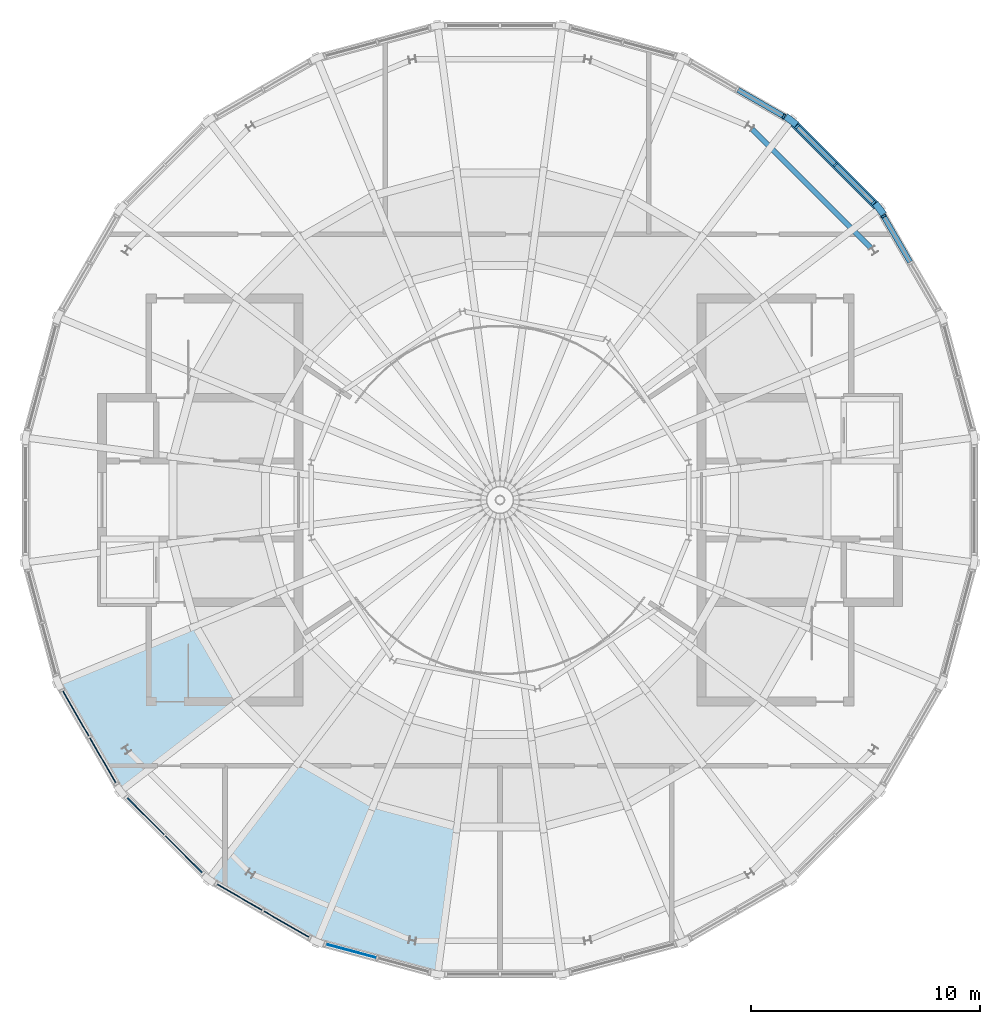
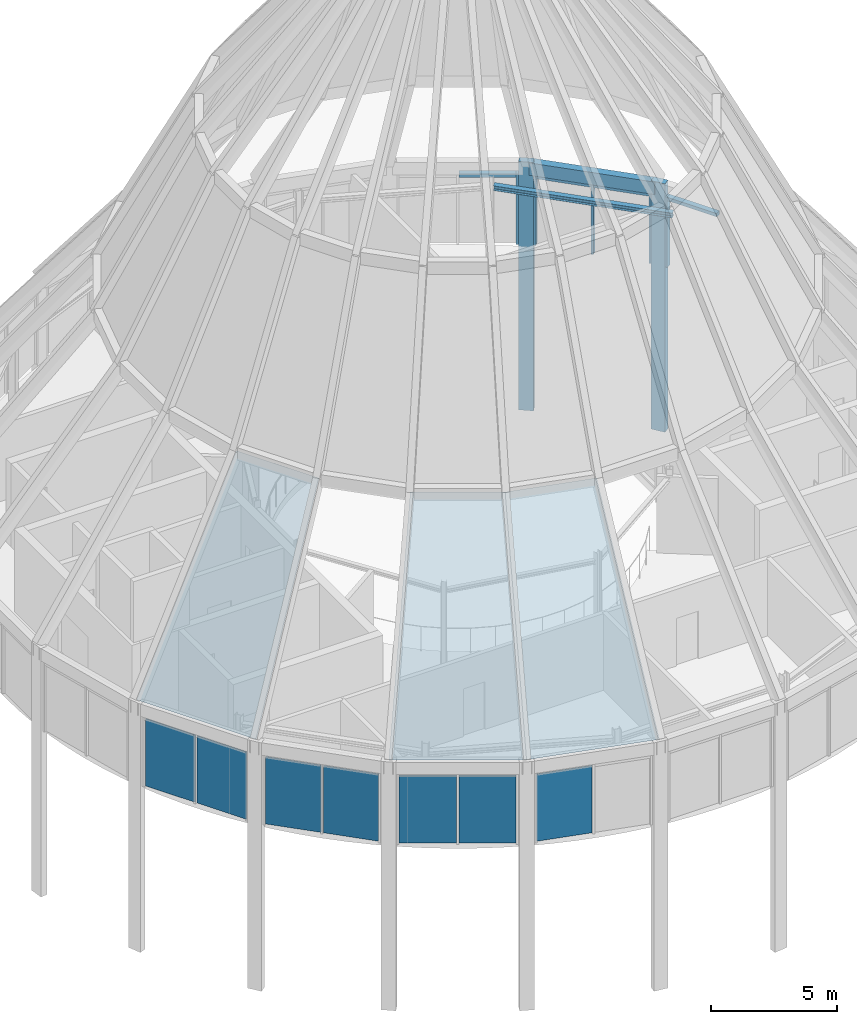
# One storey, part 10 of 16: 12 members, 10 plates, 1 beam, 7 elements without a shape of their own.
"""IFC4 building model written with IfcOpenShell, lengths in metres."""

from ifc_helpers import new_model, si_unit, direction, frame, origin, origin_2d, place, context, subcontext, project, spatial, polyline, rectangle, i_section, outline, extrude, material, layer, layer_set, material_profile, profile_set, type_object, element, aggregate, save


model = new_model("IFC4")

# Units and contexts
model_context = context("Model", 3, precision=1e-05, world=origin(), true_north=direction((0.0, 1.0)))
body_context = subcontext(model_context, "Body", "Model", "MODEL_VIEW")
ifc_project = project(units=[si_unit("LENGTHUNIT", "METRE"), si_unit("AREAUNIT", "SQUARE_METRE"), si_unit("VOLUMEUNIT", "CUBIC_METRE"), si_unit("PLANEANGLEUNIT", "RADIAN"), si_unit("MASSUNIT", "GRAM", prefix="KILO")], contexts=[model_context])

# Site, building, storey
site_placement = place(None, origin())
site = spatial("IfcSite", under=ifc_project, at=site_placement, CompositionType="ELEMENT")
building_placement = place(site_placement, origin())
building = spatial("IfcBuilding", under=site, at=building_placement, Name="Maasbend Ring Residences", CompositionType="ELEMENT")
storey_placement = place(building_placement, frame((0.0, 0.0, 269.5)))
storey = spatial("IfcBuildingStorey", under=building, at=storey_placement, Name="L77", CompositionType="ELEMENT", Elevation=269.5)

# Members
ifc_material_1 = material(Name="Steel S355J2", Category="steel")
ifc_material_profile_1 = material_profile(ifc_material_1, rectangle(XDim=0.300048828125, YDim=0.60009765625, at=origin_2d()), Name="Box 300x600x12")
ifc_profile_set_1 = profile_set([ifc_material_profile_1], Name="Steel S355J2")
member_type_1 = type_object("IfcMemberType", Name="CROWN-RIB", PredefinedType="USERDEFINED", material=ifc_profile_set_1)
for number, where, z_axis, x_axis, name in (
    (1, (16.557373046875, 12.704833984375, -8.0), (0.0, 0.0, 1.0), (0.793353340291, 0.608761429009, 0.0), "Crown frame rib"),
    (2, (12.704833984375, 16.557373046875, -8.0), (0.0, 0.0, 1.0), (0.608761429009, 0.793353340291, 0.0), "Crown frame rib"),
):
    element("IfcMember", number, at=place(storey_placement, frame(where, z_axis=z_axis, x_axis=x_axis)), inside=storey, type_object=member_type_1, Name=name, ObjectType="CROWN FRAME", PredefinedType="USERDEFINED", context=body_context, shape_type="SweptSolid", body=[
        extrude(rectangle(XDim=0.300048828125, YDim=0.60009765625, at=origin_2d()), origin(), (0.0, 0.0, 1.0), 12.0),
    ])
ifc_material_2 = material(Name="Steel S355J2", Category="steel")
ifc_material_profile_2 = material_profile(ifc_material_2, rectangle(XDim=0.35009765625, YDim=0.60009765625, at=origin_2d()), Name="Box 350x600x16")
ifc_profile_set_2 = profile_set([ifc_material_profile_2], Name="Steel S355J2")
member_type_2 = type_object("IfcMemberType", Name="CROWN-RING", PredefinedType="USERDEFINED", material=ifc_profile_set_2)
member_1_placement = place(storey_placement, frame((16.451171875, 12.81103515625, 3.699951171875), z_axis=(-0.707106781187, 0.707106781187, 0.0), x_axis=(-0.707106781187, -0.707106781187, 0.0)))
element("IfcMember", 3, at=member_1_placement, inside=storey, type_object=member_type_2, Name="Crown frame ring beam", ObjectType="CROWN FRAME", PredefinedType="USERDEFINED", context=body_context, shape_type="SweptSolid", body=[
    extrude(rectangle(XDim=0.35009765625, YDim=0.60009765625, at=origin_2d()), origin(), (0.0, 0.0, 1.0), 5.14794921875),
])

# Curtain wall, member
ifc_material_3 = material(Name="Aluminium and clear glass", Category="aluminium")
ifc_layer_1 = layer(ifc_material_3, 0.239990234375)
ifc_layer_set_1 = layer_set([ifc_layer_1], Name="CW-CN")
curtain_wall_type = type_object("IfcCurtainWallType", Name="CW-CN", PredefinedType="NOTDEFINED", material=ifc_layer_set_1)
curtain_wall_1_placement = place(storey_placement, origin())
curtain_wall_1 = element("IfcCurtainWall", 4, at=curtain_wall_1_placement, inside=storey, type_object=curtain_wall_type, Name="Crown drum glazing 02 L77", PredefinedType="NOTDEFINED")
ifc_material_4 = material(Name="Aluminium 6063-T6", Category="aluminium")
ifc_material_profile_3 = material_profile(ifc_material_4, rectangle(XDim=0.239990234375, YDim=0.090087890625, at=origin_2d()), Name="AL 240x90")
ifc_profile_set_3 = profile_set([ifc_material_profile_3], Name="Aluminium 6063-T6")
member_type_3 = type_object("IfcMemberType", Name="CWM-CN", PredefinedType="MULLION", material=ifc_profile_set_3)
member_2_placement = place(storey_placement, frame((16.73974609375, 12.388671875, 0.0), z_axis=(0.0, 0.0, 1.0), x_axis=(-0.866025403784, -0.5, 0.0)))
member_2 = element("IfcMember", 5, at=member_2_placement, type_object=member_type_3, Name="Mullion crown cone", PredefinedType="MULLION", context=body_context, shape_type="SweptSolid", body=[
    extrude(rectangle(XDim=0.239990234375, YDim=0.090087890625, at=origin_2d()), origin(), (0.0, 0.0, 1.0), 3.39990234375),
])

# Curtain wall, members
curtain_wall_2_placement = place(storey_placement, origin())
curtain_wall_2 = element("IfcCurtainWall", 6, at=curtain_wall_2_placement, inside=storey, type_object=curtain_wall_type, Name="Crown drum glazing 03 L77", PredefinedType="NOTDEFINED")
member_3_placement = place(storey_placement, frame((16.299072265625, 12.962890625, 0.0), z_axis=(0.0, 0.0, 1.0), x_axis=(-0.707106781187, -0.707106781187, 0.0)))
member_3 = element("IfcMember", 7, at=member_3_placement, type_object=member_type_3, Name="Mullion crown cone", PredefinedType="MULLION", context=body_context, shape_type="SweptSolid", body=[
    extrude(rectangle(XDim=0.239990234375, YDim=0.090087890625, at=origin_2d()), origin(), (0.0, 0.0, 1.0), 3.39990234375),
])
member_4_placement = place(storey_placement, frame((14.631103515625, 14.631103515625, 0.0), z_axis=(0.0, 0.0, 1.0), x_axis=(-0.707106781187, -0.707106781187, 0.0)))
member_4 = element("IfcMember", 8, at=member_4_placement, type_object=member_type_3, Name="Mullion crown cone", PredefinedType="MULLION", context=body_context, shape_type="SweptSolid", body=[
    extrude(rectangle(XDim=0.239990234375, YDim=0.090087890625, at=origin_2d()), origin(), (0.0, 0.0, 1.0), 3.39990234375),
])
member_5_placement = place(storey_placement, frame((12.962890625, 16.299072265625, 0.0), z_axis=(0.0, 0.0, 1.0), x_axis=(-0.707106781187, -0.707106781187, 0.0)))
member_5 = element("IfcMember", 9, at=member_5_placement, type_object=member_type_3, Name="Mullion crown cone", PredefinedType="MULLION", context=body_context, shape_type="SweptSolid", body=[
    extrude(rectangle(XDim=0.239990234375, YDim=0.090087890625, at=origin_2d()), origin(), (0.0, 0.0, 1.0), 3.39990234375),
])

# Curtain wall, member
curtain_wall_3_placement = place(storey_placement, origin())
curtain_wall_3 = element("IfcCurtainWall", 10, at=curtain_wall_3_placement, inside=storey, type_object=curtain_wall_type, Name="Crown drum glazing 04 L77", PredefinedType="NOTDEFINED")
member_6_placement = place(storey_placement, frame((12.388671875, 16.73974609375, 0.0), z_axis=(0.0, 0.0, 1.0), x_axis=(-0.5, -0.866025403784, 0.0)))
member_6 = element("IfcMember", 11, at=member_6_placement, type_object=member_type_3, Name="Mullion crown cone", PredefinedType="MULLION", context=body_context, shape_type="SweptSolid", body=[
    extrude(rectangle(XDim=0.239990234375, YDim=0.090087890625, at=origin_2d()), origin(), (0.0, 0.0, 1.0), 3.39990234375),
])

# Member
ifc_material_5 = material(Name="Aluminium 6063-T6", Category="aluminium")
ifc_material_profile_4 = material_profile(ifc_material_5, rectangle(XDim=0.239990234375, YDim=0.159912109375, at=origin_2d()), Name="AL 240x160")
ifc_profile_set_4 = profile_set([ifc_material_profile_4], Name="Aluminium 6063-T6")
member_type_4 = type_object("IfcMemberType", Name="CWT-CN", PredefinedType="USERDEFINED", material=ifc_profile_set_4)
member_7_placement = place(storey_placement, frame((17.896728515625, 10.384765625, 3.320068359375), z_axis=(-0.49999255039, 0.866029704776, 0.0), x_axis=(-0.866029704776, -0.49999255039, 0.0)))
member_7 = element("IfcMember", 12, at=member_7_placement, type_object=member_type_4, Name="Transom crown cone", ObjectType="TRANSOM", PredefinedType="USERDEFINED", context=body_context, shape_type="SweptSolid", body=[
    extrude(rectangle(XDim=0.239990234375, YDim=0.159912109375, at=origin_2d()), origin(), (0.0, 0.0, 1.0), 2.26904296875),
])

aggregate(curtain_wall_1, [member_2, member_7])

member_8_placement = place(storey_placement, frame((16.267333984375, 12.994873046875, 3.320068359375), z_axis=(-0.707106781187, 0.707106781187, 0.0), x_axis=(-0.707106781187, -0.707106781187, 0.0)))
member_8 = element("IfcMember", 13, at=member_8_placement, type_object=member_type_4, Name="Transom crown cone", ObjectType="TRANSOM", PredefinedType="USERDEFINED", context=body_context, shape_type="SweptSolid", body=[
    extrude(rectangle(XDim=0.239990234375, YDim=0.159912109375, at=origin_2d()), origin(), (0.0, 0.0, 1.0), 2.26904296875),
])

member_9_placement = place(storey_placement, frame((14.599365234375, 14.662841796875, 3.320068359375), z_axis=(-0.707106781187, 0.707106781187, 0.0), x_axis=(-0.707106781187, -0.707106781187, 0.0)))
member_9 = element("IfcMember", 14, at=member_9_placement, type_object=member_type_4, Name="Transom crown cone", ObjectType="TRANSOM", PredefinedType="USERDEFINED", context=body_context, shape_type="SweptSolid", body=[
    extrude(rectangle(XDim=0.239990234375, YDim=0.159912109375, at=origin_2d()), origin(), (0.0, 0.0, 1.0), 2.26904296875),
])

aggregate(curtain_wall_2, [member_3, member_4, member_5, member_8, member_9])

member_10_placement = place(storey_placement, frame((12.349853515625, 16.76220703125, 3.320068359375), z_axis=(-0.866029704776, 0.49999255039, 0.0), x_axis=(-0.49999255039, -0.866029704776, 0.0)))
member_10 = element("IfcMember", 15, at=member_10_placement, type_object=member_type_4, Name="Transom crown cone", ObjectType="TRANSOM", PredefinedType="USERDEFINED", context=body_context, shape_type="SweptSolid", body=[
    extrude(rectangle(XDim=0.239990234375, YDim=0.159912109375, at=origin_2d()), origin(), (0.0, 0.0, 1.0), 2.26904296875),
])

aggregate(curtain_wall_3, [member_6, member_10])

# Beam
ifc_material_6 = material(Name="Steel S355J2", Category="steel")
ifc_material_profile_5 = material_profile(ifc_material_6, i_section(OverallWidth=0.239990234375, OverallDepth=0.22998046875, WebThickness=0.007568359375, FlangeThickness=0.011962890625, FilletRadius=0.02099609375, at=origin_2d()), Name="HEA 240")
ifc_profile_set_5 = profile_set([ifc_material_profile_5], Name="Steel S355J2")
beam_type = type_object("IfcBeamType", Name="Corridor ring beam HEA 240", PredefinedType="BEAM", material=ifc_profile_set_5)
beam_placement = place(storey_placement, frame((16.188720703125, 10.997314453125, 3.534912109375), z_axis=(-0.707106781187, 0.707106781187, 0.0), x_axis=(-0.707106781187, -0.707106781187, 0.0)))
element("IfcBeam", 16, at=beam_placement, inside=storey, type_object=beam_type, Name="Corridor ring beam", PredefinedType="BEAM", context=body_context, shape_type="SweptSolid", body=[
    extrude(i_section(OverallWidth=0.239990234375, OverallDepth=0.22998046875, WebThickness=0.007568359375, FlangeThickness=0.011962890625, FilletRadius=0.02099609375, at=origin_2d()), origin(), (0.0, 0.0, 1.0), 7.341796875),
])

# Plates
ifc_material_7 = material(Name="Glass clear laminated", Category="glass")
ifc_layer_2 = layer(ifc_material_7, 0.044921875)
ifc_layer_set_2 = layer_set([ifc_layer_2], Name="CROWN-GLASS")
plate_type_1 = type_object("IfcPlateType", Name="CROWN-GLASS", PredefinedType="SHEET", material=ifc_layer_set_2)
plate_1_placement = place(storey_placement, frame((-19.28125, -7.986572265625, 4.0), z_axis=(-0.688495625981, -0.397490490515, 0.606609497911), x_axis=(0.499981684888, -0.866035977707, -9.664316e-06)))
element("IfcPlate", 17, at=plate_1_placement, inside=storey, type_object=plate_type_1, Name="Crown glazing sheet", PredefinedType="SHEET", context=body_context, shape_type="SweptSolid", body=[
    extrude(outline(polyline([(0.0, 0.0), (5.448072989126844, 0.0), (4.60115268365316, 10.601287467105307), (0.8463693965755011, 10.601175593745907), (0.0, 0.0)])), origin(), (0.0, 0.0, -1.0), 0.044921875),
])
plate_2_placement = place(storey_placement, frame((-12.704833984375, -16.557373046875, 4.0), z_axis=(-0.397490490515, -0.688495625981, 0.606609497911), x_axis=(0.866035977707, -0.499981684888, 9.664316e-06)))
element("IfcPlate", 18, at=plate_2_placement, inside=storey, type_object=plate_type_1, Name="Crown glazing sheet", PredefinedType="SHEET", context=body_context, shape_type="SweptSolid", body=[
    extrude(outline(polyline([(0.0, 0.0), (5.448072989126844, 0.0), (4.601703592551343, 10.601175593745907), (0.8469203054736861, 10.601287467105307), (0.0, 0.0)])), origin(), (0.0, 0.0, -1.0), 0.044921875),
])
plate_3_placement = place(storey_placement, frame((-7.986572265625, -19.28125, 4.0), z_axis=(-0.205755374284, -0.767912969767, 0.606608932359), x_axis=(0.965925611432, -0.258819846719, -1.10968e-05)))
element("IfcPlate", 19, at=plate_3_placement, inside=storey, type_object=plate_type_1, Name="Crown glazing sheet", PredefinedType="SHEET", context=body_context, shape_type="SweptSolid", body=[
    extrude(outline(polyline([(0.0, 0.0), (5.448112790301781, 1.1102230246251565e-16), (4.601402186144563, 10.601290007020706), (0.84654528346327, 10.60116154982748), (0.0, 0.0)])), origin(), (0.0, 0.0, -1.0), 0.044921875),
])

# Curtain wall, plates
curtain_wall_4_placement = place(storey_placement, origin())
curtain_wall_4 = element("IfcCurtainWall", 20, at=curtain_wall_4_placement, inside=storey, type_object=curtain_wall_type, Name="Crown drum glazing 14 L77", PredefinedType="NOTDEFINED")
ifc_material_8 = material(Name="Glass clear laminated", Category="glass")
ifc_layer_3 = layer(ifc_material_8, 0.0400390625)
ifc_layer_set_3 = layer_set([ifc_layer_3], Name="CWP-CN")
plate_type_2 = type_object("IfcPlateType", Name="CWP-CN", PredefinedType="CURTAIN_PANEL", material=ifc_layer_set_3)
plate_4_placement = place(storey_placement, frame((-18.509033203125, -9.32421875, 0.0), z_axis=(0.0, 0.0, 1.0), x_axis=(0.5, -0.866025403784, 0.0)))
plate_4 = element("IfcPlate", 21, at=plate_4_placement, type_object=plate_type_2, Name="Glass panel crown cone", PredefinedType="CURTAIN_PANEL", context=body_context, shape_type="SweptSolid", body=[
    extrude(rectangle(XDim=2.26904296875, YDim=0.0400390625, at=origin_2d()), origin(), (0.0, 0.0, 1.0), 3.239990234375),
])
plate_5_placement = place(storey_placement, frame((-17.32958984375, -11.3671875, 0.0), z_axis=(0.0, 0.0, 1.0), x_axis=(0.5, -0.866025403784, 0.0)))
plate_5 = element("IfcPlate", 22, at=plate_5_placement, type_object=plate_type_2, Name="Glass panel crown cone", PredefinedType="CURTAIN_PANEL", context=body_context, shape_type="SweptSolid", body=[
    extrude(rectangle(XDim=2.26904296875, YDim=0.0400390625, at=origin_2d()), origin(), (0.0, 0.0, 1.0), 3.239990234375),
])
aggregate(curtain_wall_4, [plate_4, plate_5])

curtain_wall_5_placement = place(storey_placement, origin())
curtain_wall_5 = element("IfcCurtainWall", 23, at=curtain_wall_5_placement, inside=storey, type_object=curtain_wall_type, Name="Crown drum glazing 15 L77", PredefinedType="NOTDEFINED")
plate_6_placement = place(storey_placement, frame((-15.465087890625, -13.797119140625, 0.0), z_axis=(0.0, 0.0, 1.0), x_axis=(0.707106781187, -0.707106781187, 0.0)))
plate_6 = element("IfcPlate", 24, at=plate_6_placement, type_object=plate_type_2, Name="Glass panel crown cone", PredefinedType="CURTAIN_PANEL", context=body_context, shape_type="SweptSolid", body=[
    extrude(rectangle(XDim=2.26904296875, YDim=0.0400390625, at=origin_2d()), origin(), (0.0, 0.0, 1.0), 3.239990234375),
])
plate_7_placement = place(storey_placement, frame((-13.797119140625, -15.465087890625, 0.0), z_axis=(0.0, 0.0, 1.0), x_axis=(0.707106781187, -0.707106781187, 0.0)))
plate_7 = element("IfcPlate", 25, at=plate_7_placement, type_object=plate_type_2, Name="Glass panel crown cone", PredefinedType="CURTAIN_PANEL", context=body_context, shape_type="SweptSolid", body=[
    extrude(rectangle(XDim=2.26904296875, YDim=0.0400390625, at=origin_2d()), origin(), (0.0, 0.0, 1.0), 3.239990234375),
])
aggregate(curtain_wall_5, [plate_6, plate_7])

curtain_wall_6_placement = place(storey_placement, origin())
curtain_wall_6 = element("IfcCurtainWall", 26, at=curtain_wall_6_placement, inside=storey, type_object=curtain_wall_type, Name="Crown drum glazing 16 L77", PredefinedType="NOTDEFINED")
plate_8_placement = place(storey_placement, frame((-11.3671875, -17.32958984375, 0.0), z_axis=(0.0, 0.0, 1.0), x_axis=(0.866025403784, -0.5, 0.0)))
plate_8 = element("IfcPlate", 27, at=plate_8_placement, type_object=plate_type_2, Name="Glass panel crown cone", PredefinedType="CURTAIN_PANEL", context=body_context, shape_type="SweptSolid", body=[
    extrude(rectangle(XDim=2.26904296875, YDim=0.0400390625, at=origin_2d()), origin(), (0.0, 0.0, 1.0), 3.239990234375),
])
plate_9_placement = place(storey_placement, frame((-9.32421875, -18.509033203125, 0.0), z_axis=(0.0, 0.0, 1.0), x_axis=(0.866025403784, -0.5, 0.0)))
plate_9 = element("IfcPlate", 28, at=plate_9_placement, type_object=plate_type_2, Name="Glass panel crown cone", PredefinedType="CURTAIN_PANEL", context=body_context, shape_type="SweptSolid", body=[
    extrude(rectangle(XDim=2.26904296875, YDim=0.0400390625, at=origin_2d()), origin(), (0.0, 0.0, 1.0), 3.239990234375),
])
aggregate(curtain_wall_6, [plate_8, plate_9])

# Curtain wall, plate
curtain_wall_7_placement = place(storey_placement, origin())
curtain_wall_7 = element("IfcCurtainWall", 29, at=curtain_wall_7_placement, inside=storey, type_object=curtain_wall_type, Name="Crown drum glazing 17 L77", PredefinedType="NOTDEFINED")
plate_10_placement = place(storey_placement, frame((-6.49462890625, -19.68115234375, 0.0), z_axis=(0.0, 0.0, 1.0), x_axis=(0.965925826289, -0.258819045103, 0.0)))
plate_10 = element("IfcPlate", 30, at=plate_10_placement, type_object=plate_type_2, Name="Glass panel crown cone", PredefinedType="CURTAIN_PANEL", context=body_context, shape_type="SweptSolid", body=[
    extrude(rectangle(XDim=2.26904296875, YDim=0.0400390625, at=origin_2d()), origin(), (0.0, 0.0, 1.0), 3.239990234375),
])
aggregate(curtain_wall_7, [plate_10])

save(model, "model.ifc")
